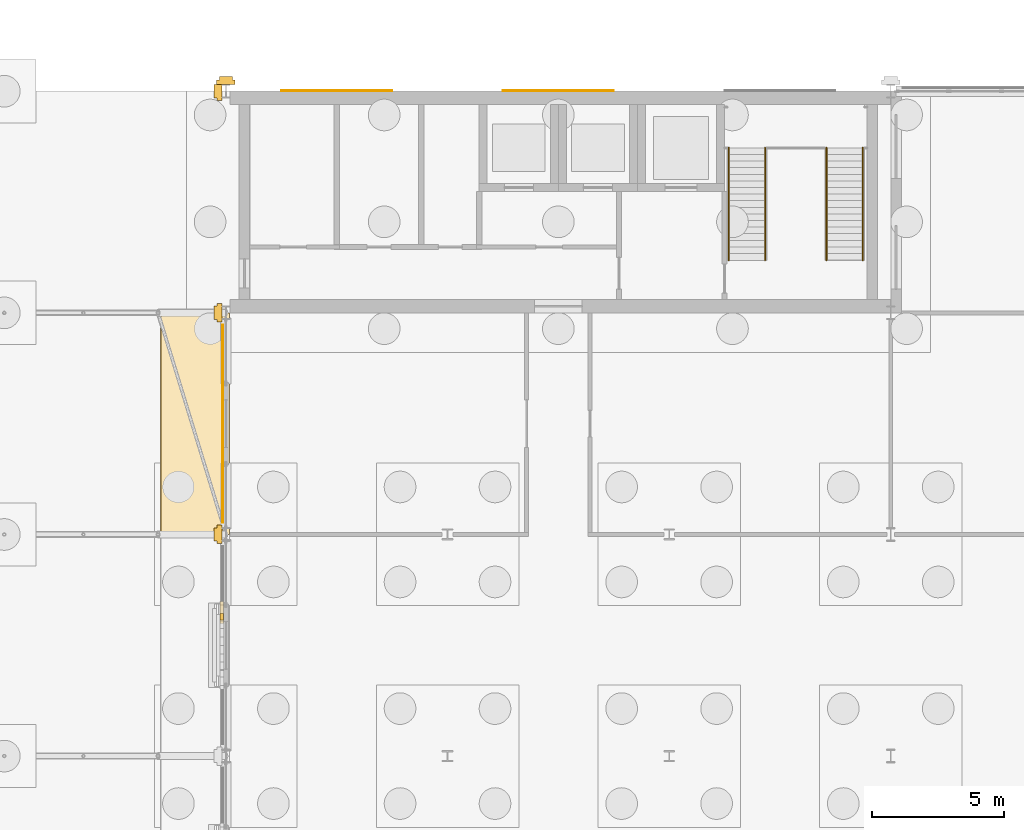
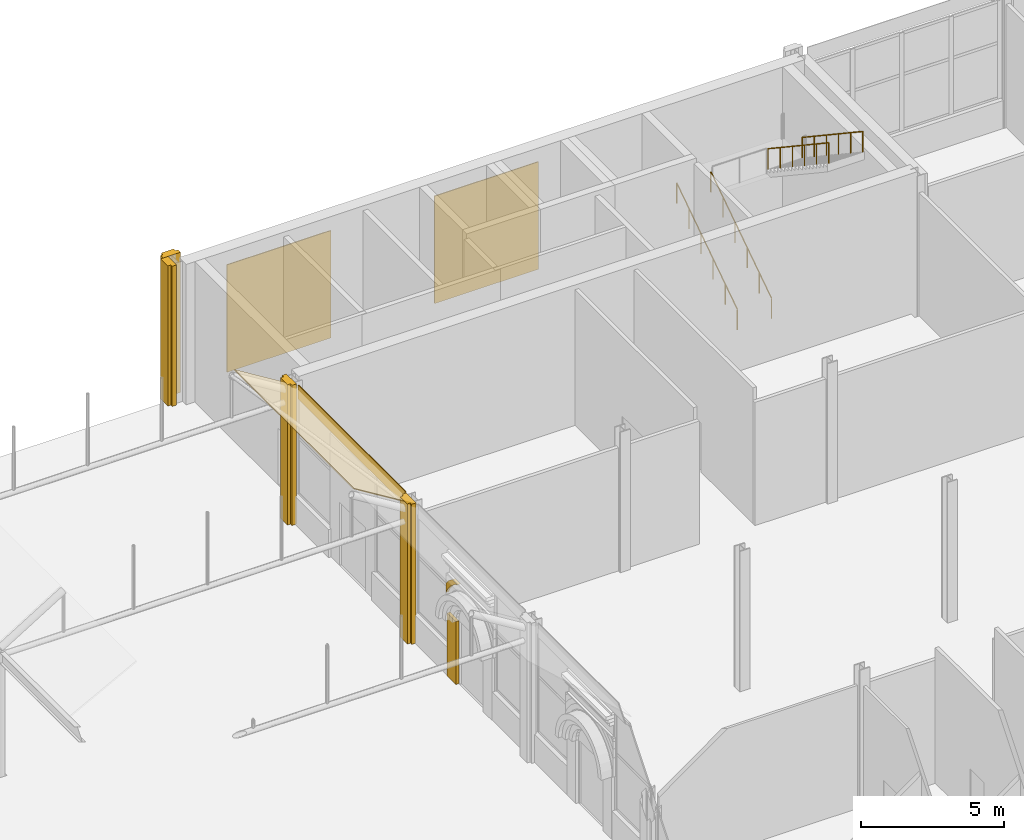
# One storey, part 206 of 212: 10 coverings, 4 railings.
"""IFC4 building model written with IfcOpenShell, lengths in metres."""

from ifc_helpers import new_model, si_unit, direction, frame, origin, origin_2d, place, context, subcontext, project, spatial, polyline, rectangle, circle, outline, extrude, material, layer, layer_set, type_object, element, save


model = new_model("IFC4")

# Units and contexts
model_context = context("Model", 3, precision=1e-05, world=origin(), true_north=direction((0.0, 1.0)))
body_context = subcontext(model_context, "Body", "Model", "MODEL_VIEW")
ifc_project = project(units=[si_unit("LENGTHUNIT", "METRE"), si_unit("AREAUNIT", "SQUARE_METRE"), si_unit("VOLUMEUNIT", "CUBIC_METRE"), si_unit("PLANEANGLEUNIT", "RADIAN"), si_unit("MASSUNIT", "GRAM", prefix="KILO")], contexts=[model_context])

# Site, building, storey
site_placement = place(None, origin())
site = spatial("IfcSite", under=ifc_project, at=site_placement, CompositionType="ELEMENT")
building_placement = place(site_placement, origin())
building = spatial("IfcBuilding", under=site, at=building_placement, Name="Catenary Quay Ferry Terminal", CompositionType="ELEMENT")
storey_placement = place(building_placement, origin())
storey = spatial("IfcBuildingStorey", under=building, at=storey_placement, Name="L00", CompositionType="ELEMENT", Elevation=0.0)

# Coverings
ifc_material_1 = material(Name="Facing brick", Category="masonry")
ifc_layer_1 = layer(ifc_material_1, 0.114990234375)
ifc_layer_set_1 = layer_set([ifc_layer_1], Name="BK1")
covering_type_1 = type_object("IfcCoveringType", Name="BK1", PredefinedType="CLADDING", material=ifc_layer_set_1)
covering_1_placement = place(storey_placement, frame((25.04248046875, 190.257568359375, 0.0), z_axis=(0.0, 0.0, 1.0), x_axis=(1.0, 0.0, 0.0)))
element("IfcCovering", 1, at=covering_1_placement, inside=storey, type_object=covering_type_1, Name="Facing brick, lobby entrance", PredefinedType="CLADDING", context=body_context, shape_type="SweptSolid", body=[
    extrude(rectangle(XDim=0.114990234375, YDim=0.614990234375, at=origin_2d()), origin(), (0.0, 0.0, 1.0), 2.699951171875),
])
ifc_material_2 = material(Name="Ceramic tile")
ifc_layer_2 = layer(ifc_material_2, 0.0400390625)
ifc_layer_set_2 = layer_set([ifc_layer_2], Name="CL2")
covering_type_2 = type_object("IfcCoveringType", Name="CL2", PredefinedType="CLADDING", material=ifc_layer_set_2)
covering_2_placement = place(storey_placement, origin())
element("IfcCovering", 2, at=covering_2_placement, inside=storey, type_object=covering_type_2, Name="Ceramic pier casing", PredefinedType="CLADDING", context=body_context, shape_type="SweptSolid", body=[
    extrude(outline(polyline([(25.050048828125, 201.949951171875), (24.8701171875, 201.949951171875), (24.8701171875, 201.85009765625), (24.75, 201.85009765625), (24.75, 201.35009765625), (24.8701171875, 201.35009765625), (24.8701171875, 201.25), (25.050048828125, 201.25), (25.050048828125, 201.949951171875)])), origin(), (0.0, 0.0, 1.0), 6.0),
])
covering_3_placement = place(storey_placement, origin())
element("IfcCovering", 3, at=covering_3_placement, inside=storey, type_object=covering_type_2, Name="Ceramic pier casing", PredefinedType="CLADDING", context=body_context, shape_type="SweptSolid", body=[
    extrude(outline(polyline([(25.050048828125, 210.35009765625), (24.8701171875, 210.35009765625), (24.8701171875, 210.25), (24.75, 210.25), (24.75, 209.75), (24.8701171875, 209.75), (24.8701171875, 209.64990234375), (25.050048828125, 209.64990234375), (25.050048828125, 210.35009765625)])), origin(), (0.0, 0.0, 1.0), 6.0),
])
covering_4_placement = place(storey_placement, origin())
element("IfcCovering", 4, at=covering_4_placement, inside=storey, type_object=covering_type_2, Name="Ceramic pier casing", PredefinedType="CLADDING", context=body_context, shape_type="SweptSolid", body=[
    extrude(outline(polyline([(25.550048828125, 210.25), (25.550048828125, 210.429931640625), (25.449951171875, 210.429931640625), (25.449951171875, 210.550048828125), (24.949951171875, 210.550048828125), (24.949951171875, 210.429931640625), (24.85009765625, 210.429931640625), (24.85009765625, 210.25), (25.550048828125, 210.25)])), origin(), (0.0, 0.0, 1.0), 6.0),
])
covering_5_placement = place(storey_placement, origin())
element("IfcCovering", 5, at=covering_5_placement, inside=storey, type_object=covering_type_2, Name="Ceramic pier casing", PredefinedType="CLADDING", context=body_context, shape_type="SweptSolid", body=[
    extrude(outline(polyline([(25.050048828125, 193.550048828125), (24.8701171875, 193.550048828125), (24.8701171875, 193.449951171875), (24.75, 193.449951171875), (24.75, 192.949951171875), (24.8701171875, 192.949951171875), (24.8701171875, 192.85009765625), (25.050048828125, 192.85009765625), (25.050048828125, 193.550048828125)])), origin(), (0.0, 0.0, 1.0), 6.0),
])
ifc_material_3 = material(Name="Ceramic tile")
ifc_layer_3 = layer(ifc_material_3, 0.034912109375)
ifc_layer_set_3 = layer_set([ifc_layer_3], Name="CL5")
covering_type_3 = type_object("IfcCoveringType", Name="CL5", PredefinedType="CLADDING", material=ifc_layer_set_3)
for number, where, z_axis, x_axis, name in (
    (6, (29.39990234375, 210.017578125, 0.39990234375), (0.0, 0.0, 1.0), (1.0, 0.0, 0.0), "Core h210.0 cladding CV291"),
    (7, (37.800048828125, 210.017578125, 0.39990234375), (0.0, 0.0, 1.0), (1.0, 0.0, 0.0), "Core h210.0 cladding CV292"),
):
    element("IfcCovering", number, at=place(storey_placement, frame(where, z_axis=z_axis, x_axis=x_axis)), inside=storey, type_object=covering_type_3, Name=name, PredefinedType="CLADDING", context=body_context, shape_type="SweptSolid", body=[
        extrude(rectangle(XDim=4.199951171875, YDim=0.034912109375, at=origin_2d()), origin(), (0.0, 0.0, 1.0), 4.60009765625),
    ])
ifc_material_4 = material(Name="Glazed ceramic tile, ochre")
ifc_layer_4 = layer(ifc_material_4, 0.030029296875)
ifc_layer_set_4 = layer_set([ifc_layer_4], Name="CL6")
covering_type_4 = type_object("IfcCoveringType", Name="CL6", PredefinedType="CLADDING", material=ifc_layer_set_4)
covering_6_placement = place(storey_placement, frame((25.08056640625, 197.39990234375, 5.39990234375), z_axis=(0.0, 0.0, 1.0), x_axis=(1.0, 0.0, 0.0)))
element("IfcCovering", 8, at=covering_6_placement, inside=storey, type_object=covering_type_4, Name="Band wing v25.2 cladding CV299", PredefinedType="CLADDING", context=body_context, shape_type="SweptSolid", body=[
    extrude(rectangle(XDim=0.030029296875, YDim=7.5, at=origin_2d()), origin(), (0.0, 0.0, 1.0), 0.60009765625),
])

# Railings
ifc_material_5 = material(Name="Stainless steel", Category="steel")
railing_type = type_object("IfcRailingType", Name="HR1", PredefinedType="HANDRAIL", material=ifc_material_5)
for number, where, name in (
    (9, (44.260009765625, 203.60009765625, 0.166748046875), "HS1 F1A handrail HR65"),
    (10, (45.639892578125, 203.60009765625, 0.166748046875), "HS1 F1B handrail HR66"),
):
    element("IfcRailing", number, at=place(storey_placement, frame(where)), inside=storey, type_object=railing_type, Name=name, PredefinedType="HANDRAIL", context=body_context, shape_type="SweptSolid", body=[
        extrude(circle(Radius=0.02392578125, at=origin_2d()), frame((0.0, 0.0, 0.8759765625), z_axis=(0.0, 0.832057647715, 0.554689166001), x_axis=(-1.0, 0.0, 0.0)), (0.0, 0.0, 1.0), 5.10791015625),
        extrude(circle(Radius=0.02099609375, at=origin_2d()), origin(), (0.0, 0.0, 1.0), 0.851806640625),
        extrude(circle(Radius=0.02099609375, at=origin_2d()), frame((0.0, 0.85009765625, 0.566650390625)), (0.0, 0.0, 1.0), 0.851806640625),
        extrude(circle(Radius=0.02099609375, at=origin_2d()), frame((0.0, 1.699951171875, 1.13330078125)), (0.0, 0.0, 1.0), 0.851806640625),
        extrude(circle(Radius=0.02099609375, at=origin_2d()), frame((0.0, 2.550048828125, 1.699951171875)), (0.0, 0.0, 1.0), 0.851806640625),
        extrude(circle(Radius=0.02099609375, at=origin_2d()), frame((0.0, 3.39990234375, 2.2666015625)), (0.0, 0.0, 1.0), 0.851806640625),
        extrude(circle(Radius=0.02099609375, at=origin_2d()), frame((0.0, 4.25, 2.833251953125)), (0.0, 0.0, 1.0), 0.851806640625),
    ])
for number, where, name in (
    (11, (47.9599609375, 207.85009765625, 3.166748046875), "HS1 F2A handrail HR67"),
    (12, (49.340087890625, 207.85009765625, 3.166748046875), "HS1 F2B handrail HR68"),
):
    element("IfcRailing", number, at=place(storey_placement, frame(where)), inside=storey, type_object=railing_type, Name=name, PredefinedType="HANDRAIL", context=body_context, shape_type="SweptSolid", body=[
        extrude(circle(Radius=0.02392578125, at=origin_2d()), frame((0.0, 0.0, 0.8759765625), z_axis=(0.0, -0.832057647715, 0.554689166001), x_axis=(1.0, 0.0, 0.0)), (0.0, 0.0, 1.0), 5.10791015625),
        extrude(circle(Radius=0.02099609375, at=origin_2d()), origin(), (0.0, 0.0, 1.0), 0.851806640625),
        extrude(circle(Radius=0.02099609375, at=origin_2d()), frame((0.0, -0.85009765625, 0.566650390625)), (0.0, 0.0, 1.0), 0.851806640625),
        extrude(circle(Radius=0.02099609375, at=origin_2d()), frame((0.0, -1.699951171875, 1.13330078125)), (0.0, 0.0, 1.0), 0.851806640625),
        extrude(circle(Radius=0.02099609375, at=origin_2d()), frame((0.0, -2.550048828125, 1.699951171875)), (0.0, 0.0, 1.0), 0.851806640625),
        extrude(circle(Radius=0.02099609375, at=origin_2d()), frame((0.0, -3.39990234375, 2.2666015625)), (0.0, 0.0, 1.0), 0.851806640625),
        extrude(circle(Radius=0.02099609375, at=origin_2d()), frame((0.0, -4.25, 2.833251953125)), (0.0, 0.0, 1.0), 0.851806640625),
    ])

# Coverings
ifc_material_6 = material(Name="Laminated glass", Category="glass")
ifc_layer_5 = layer(ifc_material_6, 0.030029296875)
ifc_layer_set_5 = layer_set([ifc_layer_5], Name="RF2")
covering_type_5 = type_object("IfcCoveringType", Name="RF2", PredefinedType="ROOFING", material=ifc_layer_set_5)
covering_7_placement = place(storey_placement, frame((22.74169921875, 193.199951171875, 7.2158203125), z_axis=(0.524540171999, 0.0, 0.851385698705), x_axis=(0.0, 1.0, 0.0)))
element("IfcCovering", 13, at=covering_7_placement, inside=storey, type_object=covering_type_5, Name="Forecourt canopy roof", PredefinedType="ROOFING", context=body_context, shape_type="SweptSolid", body=[
    extrude(outline(polyline([(0.0, 0.0), (8.400146484375, 0.0), (8.400146484375, -3.0453570472743348), (0.0, -3.0453570472743348), (0.0, 0.0)])), origin(), (0.0, 0.0, -1.0), 0.03515625),
])
ifc_material_7 = material(Name="Glazed ceramic tile, cream")
ifc_layer_6 = layer(ifc_material_7, 0.034912109375)
ifc_layer_set_6 = layer_set([ifc_layer_6], Name="TM2")
covering_type_6 = type_object("IfcCoveringType", Name="TM2", PredefinedType="CLADDING", material=ifc_layer_set_6)
covering_8_placement = place(storey_placement, frame((25.10009765625, 190.44970703125, 4.149658203125), z_axis=(1.0, 0.0, 0.0), x_axis=(0.0, -0.773199614386, 0.63416272069)))
element("IfcCovering", 14, at=covering_8_placement, inside=storey, type_object=covering_type_6, Name="Tile relief spandrel panel", PredefinedType="CLADDING", context=body_context, shape_type="SweptSolid", body=[
    extrude(outline(polyline([(0.0, 0.0), (0.3160694354704916, 0.0), (0.6150802238463462, 0.24524261464193467), (0.3823950198412241, 0.19901409212173476), (0.01968784139247068, 0.19928470565045311), (-0.33587193402356214, 0.2701469796799851), (-0.5548584360498484, 0.36082382143738745), (-0.3097706462908948, 0.062001802498638875), (0.0, 0.0)])), origin(), (0.0, 0.0, -1.0), 0.114990234375),
])

save(model, "model.ifc")
